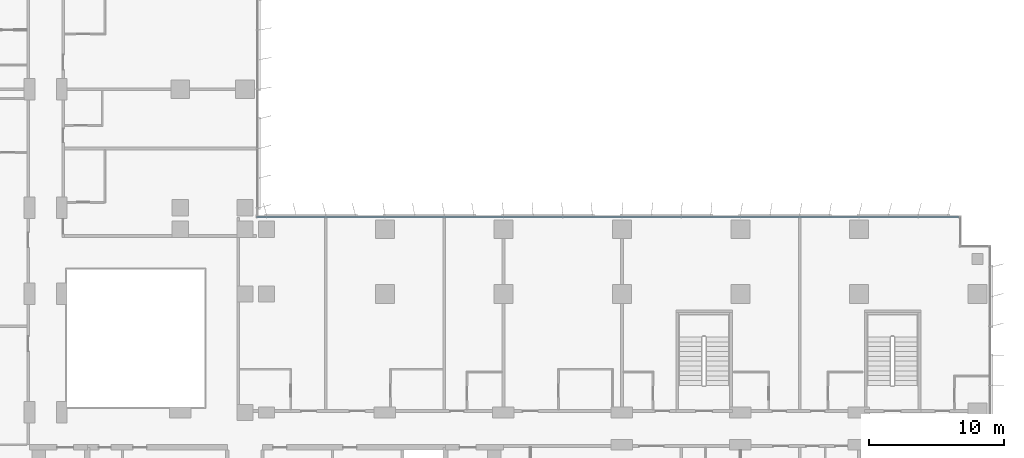
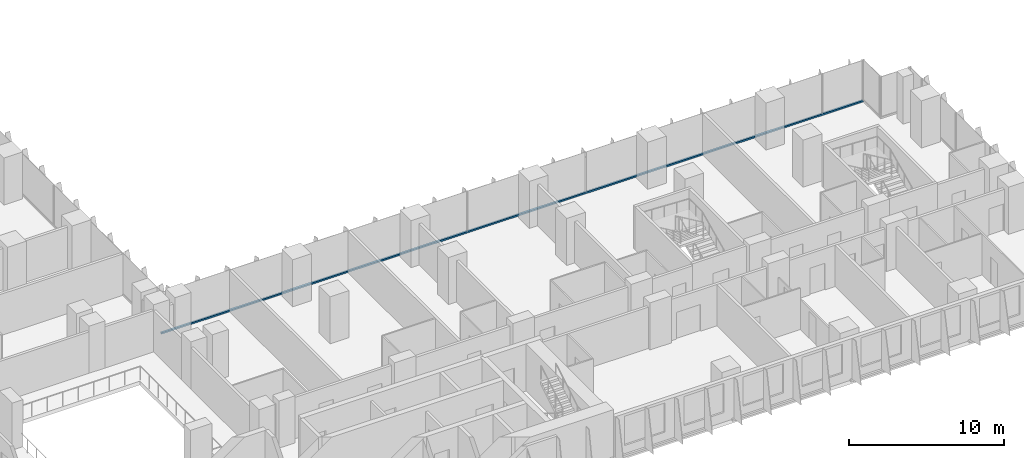
# One storey, part 3 of 24: 1 member, 1 element without a shape of its own.
"""IFC4 building model written with IfcOpenShell, lengths in metres."""

from ifc_helpers import new_model, si_unit, direction, frame, origin, origin_2d, place, context, subcontext, project, spatial, rectangle, extrude, material, material_profile, profile_set, type_object, element, aggregate, save


model = new_model("IFC4")

# Units and contexts
model_context = context("Model", 3, precision=1e-05, world=origin(), true_north=direction((0.0, 1.0)))
body_context = subcontext(model_context, "Body", "Model", "MODEL_VIEW")
ifc_project = project(units=[si_unit("LENGTHUNIT", "METRE"), si_unit("AREAUNIT", "SQUARE_METRE"), si_unit("VOLUMEUNIT", "CUBIC_METRE"), si_unit("PLANEANGLEUNIT", "RADIAN"), si_unit("MASSUNIT", "GRAM", prefix="KILO")], contexts=[model_context])

# Site, building, storey
site_placement = place(None, origin())
site = spatial("IfcSite", under=ifc_project, at=site_placement, CompositionType="ELEMENT")
building_placement = place(site_placement, origin())
building = spatial("IfcBuilding", under=site, at=building_placement, Name="Kemantara Hotel Tower", CompositionType="ELEMENT")
storey_placement = place(building_placement, frame((0.0, 0.0, 79.699951171875)))
storey = spatial("IfcBuildingStorey", under=building, at=storey_placement, Name="L18", CompositionType="ELEMENT", Elevation=79.699951171875)

# Curtain wall, member
ifc_material_1 = material(Name="Low-E tinted double insulated glass 36 mm", Category="glass")
curtain_wall_type = type_object("IfcCurtainWallType", Name="TOWER CURTAIN WALL, FRONT FACES", PredefinedType="USERDEFINED", material=ifc_material_1)
curtain_wall_placement = place(storey_placement, origin())
curtain_wall = element("IfcCurtainWall", 1, at=curtain_wall_placement, inside=storey, type_object=curtain_wall_type, Name="CW4 L18 T1-R07-1", ObjectType="TOWER CURTAIN WALL, FRONT FACES", PredefinedType="USERDEFINED")
ifc_material_2 = material(Name="Aluminium 6063-T6 bronze anodised", Category="aluminium")
ifc_material_profile = material_profile(ifc_material_2, rectangle(XDim=0.14990234375, YDim=0.1201171875, at=origin_2d()), Name="TOWER CURTAIN WALL, FRONT FACES TRANSOM")
ifc_profile_set = profile_set([ifc_material_profile], Name="Aluminium 6063-T6 bronze anodised")
member_type = type_object("IfcMemberType", Name="TOWER CURTAIN WALL, FRONT FACES TRANSOM", PredefinedType="USERDEFINED", material=ifc_profile_set)
member_placement = place(storey_placement, frame((78.85009765625, 26.72509765625, 0.06005859375), z_axis=(-1.0, 0.0, 0.0), x_axis=(0.0, -1.0, 0.0)))
member = element("IfcMember", 2, at=member_placement, type_object=member_type, Name="CW4 sill transom T1-R07-1", ObjectType="TRANSOM", PredefinedType="USERDEFINED", context=body_context, shape_type="SweptSolid", body=[
    extrude(rectangle(XDim=0.14990234375, YDim=0.1201171875, at=origin_2d()), origin(), (0.0, 0.0, 1.0), 52.2001953125),
])
aggregate(curtain_wall, [member])

save(model, "model.ifc")
